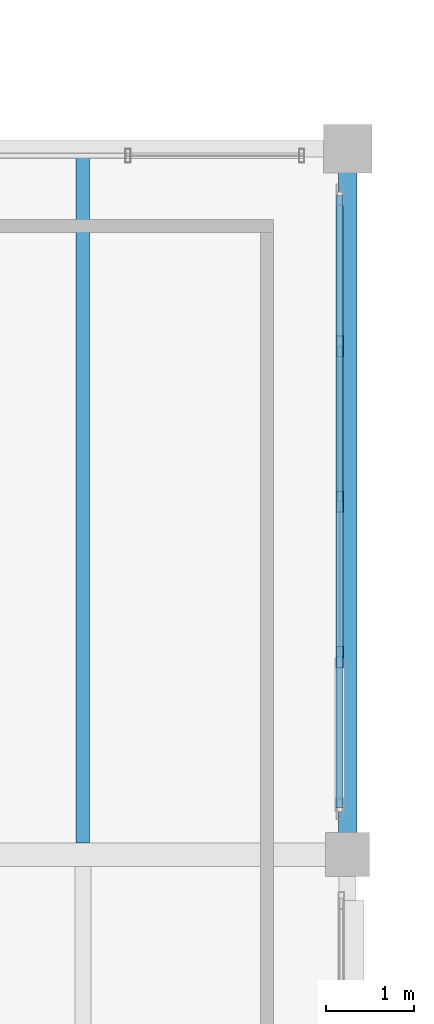
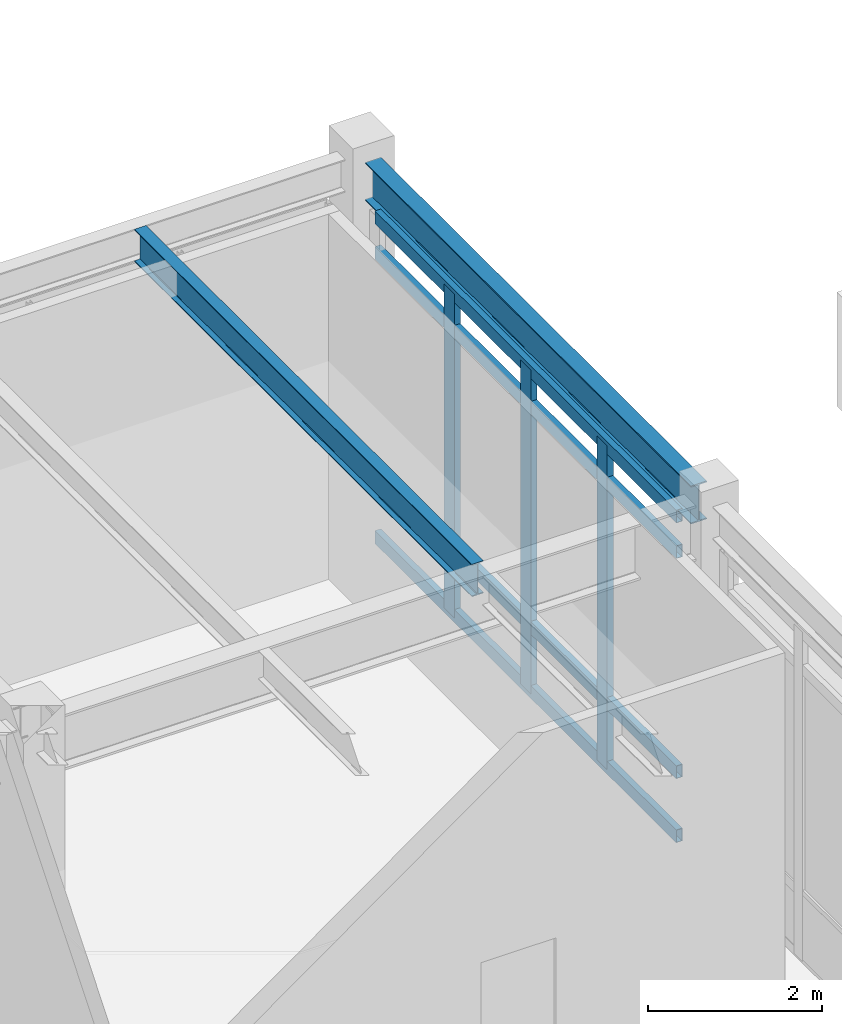
# One storey, part 101 of 203: 7 members, 2 beams, 1 element without a shape of its own.
"""IFC4 building model written with IfcOpenShell, lengths in metres."""

from ifc_helpers import new_model, si_unit, direction, frame, origin, origin_2d, place, context, subcontext, project, spatial, hollow_rectangle, i_section, extrude, material, material_profile, profile_set, type_object, element, aggregate, save


model = new_model("IFC4")

# Units and contexts
model_context = context("Model", 3, precision=1e-05, world=origin(), true_north=direction((0.0, 1.0)))
body_context = subcontext(model_context, "Body", "Model", "MODEL_VIEW")
ifc_project = project(units=[si_unit("LENGTHUNIT", "METRE"), si_unit("AREAUNIT", "SQUARE_METRE"), si_unit("VOLUMEUNIT", "CUBIC_METRE"), si_unit("PLANEANGLEUNIT", "RADIAN"), si_unit("MASSUNIT", "GRAM", prefix="KILO"), si_unit("THERMODYNAMICTEMPERATUREUNIT", "KELVIN"), si_unit("POWERUNIT", "WATT")], contexts=[model_context])

# Site, building, storey
site_placement = place(None, origin())
site = spatial("IfcSite", under=ifc_project, at=site_placement, CompositionType="ELEMENT")
building_placement = place(site_placement, origin())
building = spatial("IfcBuilding", under=site, at=building_placement, Name="Tepalcoro Natatorium and Aquatics Centre", CompositionType="ELEMENT")
storey_placement = place(building_placement, origin())
storey = spatial("IfcBuildingStorey", under=building, at=storey_placement, Name="L00", CompositionType="ELEMENT", Elevation=0.0)

# Curtain wall, members
ifc_material_1 = material(Name="Bronze-Anodised Extruded Aluminium Alloy EN AW-6063 T6", Category="aluminium")
curtain_wall_type = type_object("IfcCurtainWallType", Name="CW_V1_PLINTH", PredefinedType="USERDEFINED", material=ifc_material_1)
curtain_wall_placement = place(storey_placement, origin())
curtain_wall = element("IfcCurtainWall", 1, at=curtain_wall_placement, inside=storey, type_object=curtain_wall_type, Name="V4 L00 E Unitised Curtain Wall Bay 4", ObjectType="UNITISED STOREFRONT", PredefinedType="USERDEFINED")
ifc_material_profile_1 = material_profile(ifc_material_1, hollow_rectangle(XDim=0.080078125, YDim=0.239990234375, WallThickness=0.0048828125, at=origin_2d()), Name="AL80X240X5")
ifc_profile_set_1 = profile_set([ifc_material_profile_1], Name="Bronze-Anodised Extruded Aluminium Alloy EN AW-6063 T6")
member_type_1 = type_object("IfcMemberType", Name="CW_MUL_80x240", PredefinedType="MULLION", material=ifc_profile_set_1)
member_1_placement = place(storey_placement, frame((88.909912109375, 112.239990234375, 0.02001953125), z_axis=(0.0, 0.0, 1.0), x_axis=(1.0, 0.0, 0.0)))
member_1 = element("IfcMember", 2, at=member_1_placement, type_object=member_type_1, Name="CW_V1_PLINTH Curtain Wall Mullion", PredefinedType="MULLION", context=body_context, shape_type="SweptSolid", body=[
    extrude(hollow_rectangle(XDim=0.080078125, YDim=0.239990234375, WallThickness=0.0048828125, at=origin_2d()), origin(), (0.0, 0.0, 1.0), 4.553955078125),
])
member_2_placement = place(storey_placement, frame((88.909912109375, 114.0, 0.02001953125), z_axis=(0.0, 0.0, 1.0), x_axis=(1.0, 0.0, 0.0)))
member_2 = element("IfcMember", 3, at=member_2_placement, type_object=member_type_1, Name="CW_V1_PLINTH Curtain Wall Mullion", PredefinedType="MULLION", context=body_context, shape_type="SweptSolid", body=[
    extrude(hollow_rectangle(XDim=0.080078125, YDim=0.239990234375, WallThickness=0.0048828125, at=origin_2d()), origin(), (0.0, 0.0, 1.0), 4.553955078125),
])
member_3_placement = place(storey_placement, frame((88.909912109375, 115.760009765625, 0.02001953125), z_axis=(0.0, 0.0, 1.0), x_axis=(1.0, 0.0, 0.0)))
member_3 = element("IfcMember", 4, at=member_3_placement, type_object=member_type_1, Name="CW_V1_PLINTH Curtain Wall Mullion", PredefinedType="MULLION", context=body_context, shape_type="SweptSolid", body=[
    extrude(hollow_rectangle(XDim=0.080078125, YDim=0.239990234375, WallThickness=0.0048828125, at=origin_2d()), origin(), (0.0, 0.0, 1.0), 4.553955078125),
])
ifc_material_profile_2 = material_profile(ifc_material_1, hollow_rectangle(XDim=0.080078125, YDim=0.179931640625, WallThickness=0.0048828125, at=origin_2d()), Name="AL80X180X5")
ifc_profile_set_2 = profile_set([ifc_material_profile_2], Name="Bronze-Anodised Extruded Aluminium Alloy EN AW-6063 T6")
member_type_2 = type_object("IfcMemberType", Name="CW_TRN_80x180", PredefinedType="USERDEFINED", material=ifc_profile_set_2)
member_4_placement = place(storey_placement, frame((88.909912109375, 110.530029296875, 0.050048828125), z_axis=(0.0, 1.0, 0.0), x_axis=(-1.0, 0.0, 0.0)))
member_4 = element("IfcMember", 5, at=member_4_placement, type_object=member_type_2, Name="CW_V1_PLINTH Curtain Wall Transom", ObjectType="TRANSOM", PredefinedType="USERDEFINED", context=body_context, shape_type="SweptSolid", body=[
    extrude(hollow_rectangle(XDim=0.080078125, YDim=0.179931640625, WallThickness=0.0048828125, at=origin_2d()), origin(), (0.0, 0.0, 1.0), 6.93994140625),
])
member_5_placement = place(storey_placement, frame((88.909912109375, 110.530029296875, 0.949951171875), z_axis=(0.0, 1.0, 0.0), x_axis=(-1.0, 0.0, 0.0)))
member_5 = element("IfcMember", 6, at=member_5_placement, type_object=member_type_2, Name="CW_V1_PLINTH Curtain Wall Transom", ObjectType="TRANSOM", PredefinedType="USERDEFINED", context=body_context, shape_type="SweptSolid", body=[
    extrude(hollow_rectangle(XDim=0.080078125, YDim=0.179931640625, WallThickness=0.0048828125, at=origin_2d()), origin(), (0.0, 0.0, 1.0), 6.93994140625),
])
member_6_placement = place(storey_placement, frame((88.909912109375, 110.530029296875, 4.0439453125), z_axis=(0.0, 1.0, 0.0), x_axis=(-1.0, 0.0, 0.0)))
member_6 = element("IfcMember", 7, at=member_6_placement, type_object=member_type_2, Name="CW_V1_PLINTH Curtain Wall Transom", ObjectType="TRANSOM", PredefinedType="USERDEFINED", context=body_context, shape_type="SweptSolid", body=[
    extrude(hollow_rectangle(XDim=0.080078125, YDim=0.179931640625, WallThickness=0.0048828125, at=origin_2d()), origin(), (0.0, 0.0, 1.0), 6.93994140625),
])
member_7_placement = place(storey_placement, frame((88.909912109375, 110.530029296875, 4.5439453125), z_axis=(0.0, 1.0, 0.0), x_axis=(-1.0, 0.0, 0.0)))
member_7 = element("IfcMember", 8, at=member_7_placement, type_object=member_type_2, Name="CW_V1_PLINTH Curtain Wall Transom", ObjectType="TRANSOM", PredefinedType="USERDEFINED", context=body_context, shape_type="SweptSolid", body=[
    extrude(hollow_rectangle(XDim=0.080078125, YDim=0.179931640625, WallThickness=0.0048828125, at=origin_2d()), origin(), (0.0, 0.0, 1.0), 6.93994140625),
])
aggregate(curtain_wall, [member_1, member_2, member_3, member_4, member_5, member_6, member_7])

# Beams
ifc_material_2 = material(Name="Steel ASTM A992 Grade 50 (Fy 345 MPa)", Category="steel")
ifc_material_profile_3 = material_profile(ifc_material_2, i_section(OverallWidth=0.153076171875, OverallDepth=0.455078125, WebThickness=0.008056640625, FlangeThickness=0.012939453125, FilletRadius=0.013916015625, at=origin_2d()), Name="W18X40")
ifc_profile_set_3 = profile_set([ifc_material_profile_3], Name="Steel ASTM A992 Grade 50 (Fy 345 MPa)")
beam_type_1 = type_object("IfcBeamType", Name="JS_W18x40", PredefinedType="JOIST", material=ifc_profile_set_3)
beam_1_placement = place(storey_placement, frame((86.0, 110.133544921875, 4.91748046875), z_axis=(0.0, 1.0, 0.0), x_axis=(-1.0, 0.0, 0.0)))
element("IfcBeam", 9, at=beam_1_placement, inside=storey, type_object=beam_type_1, Name="V4 L00 Floor Joist", PredefinedType="JOIST", context=body_context, shape_type="SweptSolid", body=[
    extrude(i_section(OverallWidth=0.153076171875, OverallDepth=0.455078125, WebThickness=0.008056640625, FlangeThickness=0.012939453125, FilletRadius=0.013916015625, at=origin_2d()), origin(), (0.0, 0.0, 1.0), 7.77099609375),
])
ifc_material_profile_4 = material_profile(ifc_material_2, i_section(OverallWidth=0.2099609375, OverallDepth=0.535888671875, WebThickness=0.010986328125, FlangeThickness=0.01708984375, FilletRadius=0.013916015625, at=origin_2d()), Name="W21X68")
ifc_profile_set_4 = profile_set([ifc_material_profile_4], Name="Steel ASTM A992 Grade 50 (Fy 345 MPa)")
beam_type_2 = type_object("IfcBeamType", Name="SP_W21x68", PredefinedType="SPANDREL", material=ifc_profile_set_4)
beam_2_placement = place(storey_placement, frame((89.0, 110.235107421875, 4.876953125), z_axis=(0.0, 1.0, 0.0), x_axis=(-1.0, 0.0, 0.0)))
element("IfcBeam", 10, at=beam_2_placement, inside=storey, type_object=beam_type_2, Name="V4 L00 Grid Girder Y", PredefinedType="SPANDREL", context=body_context, shape_type="SweptSolid", body=[
    extrude(i_section(OverallWidth=0.2099609375, OverallDepth=0.535888671875, WebThickness=0.010986328125, FlangeThickness=0.01708984375, FilletRadius=0.013916015625, at=origin_2d()), origin(), (0.0, 0.0, 1.0), 7.5048828125),
])

save(model, "model.ifc")
